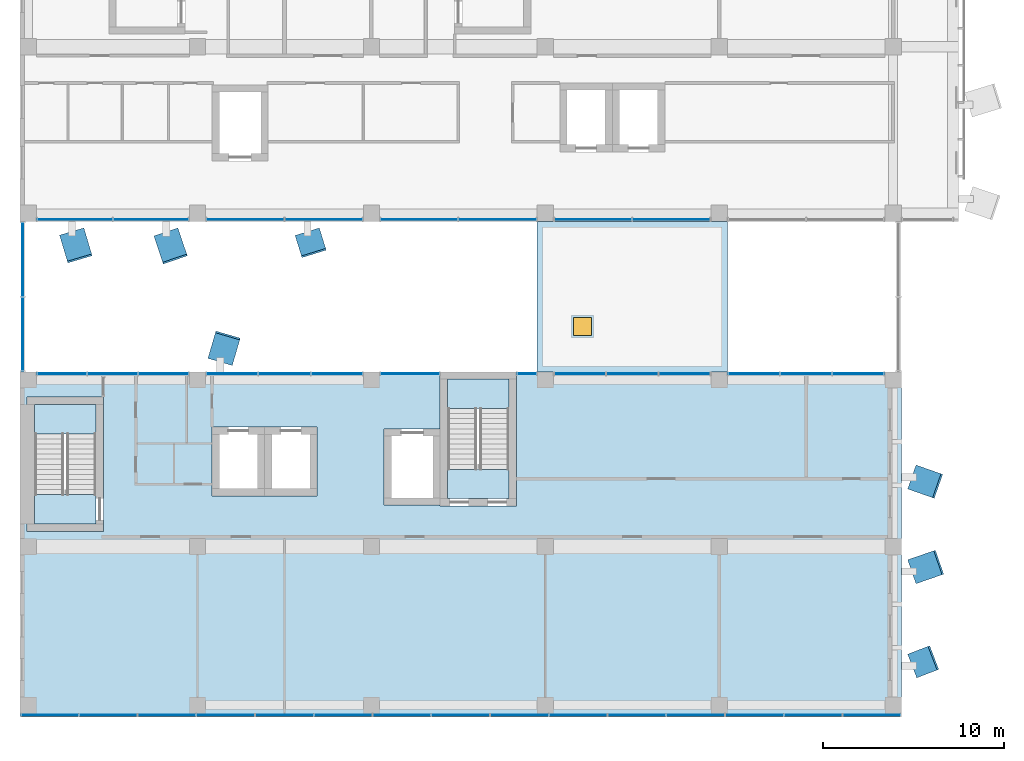
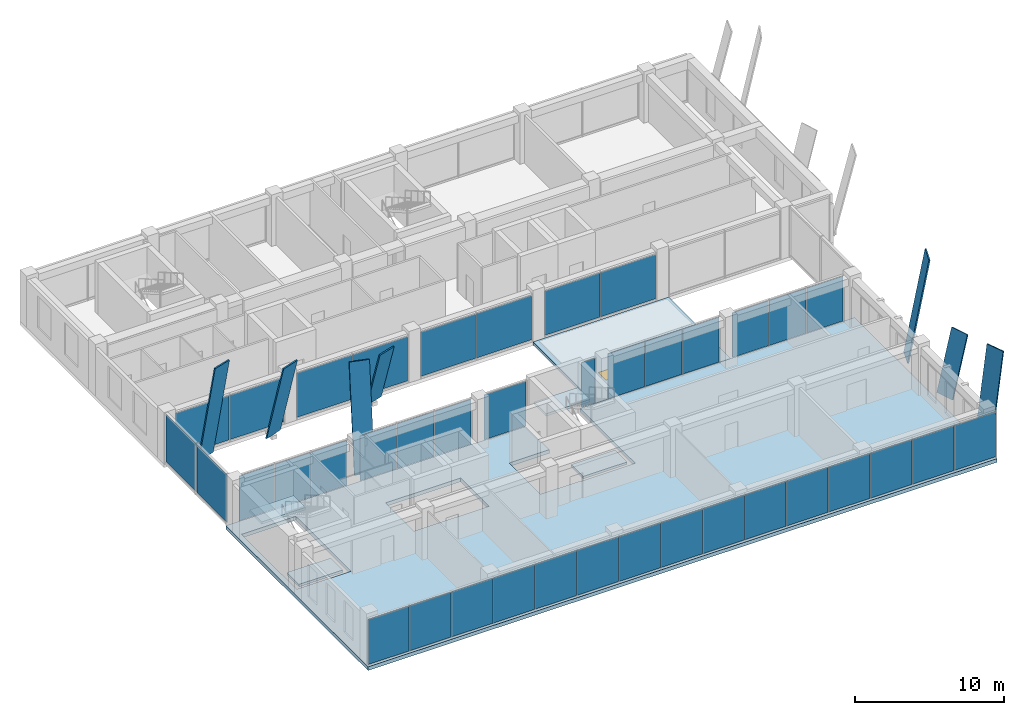
"""IFC4 building model written with IfcOpenShell, lengths in metres."""

from ifc_helpers import new_model, si_unit, direction, frame, origin, origin_2d, place, context, subcontext, project, spatial, polyline, rectangle, outline, extrude, material, layer, layer_set, material_profile, profile_set, type_object, element, fill, aggregate, save


model = new_model("IFC4")

# Units and contexts
model_context = context("Model", 3, precision=1e-05, world=origin(), true_north=direction((0.0, 1.0)))
body_context = subcontext(model_context, "Body", "Model", "MODEL_VIEW")
ifc_project = project(units=[si_unit("LENGTHUNIT", "METRE"), si_unit("AREAUNIT", "SQUARE_METRE"), si_unit("VOLUMEUNIT", "CUBIC_METRE"), si_unit("PLANEANGLEUNIT", "RADIAN"), si_unit("MASSUNIT", "GRAM", prefix="KILO")], contexts=[model_context])

# Site, building, storey
site_placement = place(None, origin())
site = spatial("IfcSite", under=ifc_project, at=site_placement, CompositionType="ELEMENT")
building_placement = place(site_placement, origin())
building = spatial("IfcBuilding", under=site, at=building_placement, Name="Nzadi Deep Aquarium and Research Tower", CompositionType="ELEMENT")
storey_1_placement = place(building_placement, frame((0.0, 0.0, 52.89990234375)))
storey_1 = spatial("IfcBuildingStorey", under=building, at=storey_1_placement, Name="L10", CompositionType="ELEMENT", Elevation=52.89990234375)

# Plates
ifc_material_1 = material(Name="Anodised aluminium, bright", Category="aluminium")
ifc_material_profile_1 = material_profile(ifc_material_1, rectangle(XDim=1.39990234375, YDim=0.10009765625, at=origin_2d()))
ifc_profile_set_1 = profile_set([ifc_material_profile_1], Name="Anodised aluminium, bright")
plate_type_1 = type_object("IfcPlateType", Name="Fold blade anodised aluminium 1400x100, 4.8 m", PredefinedType="SHEET", material=ifc_profile_set_1)
plate_1_placement = place(storey_1_placement, frame((49.0791015625, 7.830078125, 0.01611328125), z_axis=(0.299847467186, 0.103814873711, 0.948321658731), x_axis=(-0.327171125477, 0.944965107638, 0.0)))
element("IfcPlate", 1, at=plate_1_placement, inside=storey_1, type_object=plate_type_1, Name="FD012 fold blade EA L10", PredefinedType="SHEET", context=body_context, shape_type="SweptSolid", body=[
    extrude(rectangle(XDim=1.39990234375, YDim=0.10009765625, at=origin_2d()), origin(), (0.0, 0.0, 1.0), 4.7998046875),
])
plate_2_placement = place(storey_1_placement, frame((15.669921875, 26.54296875, 0.012451171875), z_axis=(0.073037408273, -0.235947449149, 0.969017202238), x_axis=(0.955278965947, 0.295706099396, 0.0)))
element("IfcPlate", 2, at=plate_2_placement, inside=storey_1, type_object=plate_type_1, Name="FD046 fold blade SB L10", PredefinedType="SHEET", context=body_context, shape_type="SweptSolid", body=[
    extrude(rectangle(XDim=1.39990234375, YDim=0.10009765625, at=origin_2d()), origin(), (0.0, 0.0, 1.0), 4.800048828125),
])
ifc_material_2 = material(Name="Anodised aluminium, bright", Category="aluminium")
ifc_material_profile_2 = material_profile(ifc_material_2, rectangle(XDim=1.39990234375, YDim=0.10009765625, at=origin_2d()))
ifc_profile_set_2 = profile_set([ifc_material_profile_2], Name="Anodised aluminium, bright")
plate_type_2 = type_object("IfcPlateType", Name="Fold blade anodised aluminium 1400x100, 6.6 m", PredefinedType="SHEET", material=ifc_profile_set_2)
plate_3_placement = place(storey_1_placement, frame((49.100830078125, 2.6298828125, 0.00927734375), z_axis=(0.170121208688, 0.065325952281, 0.983255457301), x_axis=(-0.358475743933, 0.933539040968, 0.0)))
element("IfcPlate", 3, at=plate_3_placement, inside=storey_1, type_object=plate_type_2, Name="FD011 fold blade EA L10", PredefinedType="SHEET", context=body_context, shape_type="SweptSolid", body=[
    extrude(rectangle(XDim=1.39990234375, YDim=0.10009765625, at=origin_2d()), origin(), (0.0, 0.0, 1.0), 6.60009765625),
])
plate_4_placement = place(storey_1_placement, frame((7.8701171875, 26.526611328125, 0.01171875), z_axis=(0.073910217524, -0.219622102823, 0.972781276391), x_axis=(0.947769435294, 0.318956262711, 0.0)))
element("IfcPlate", 4, at=plate_4_placement, inside=storey_1, type_object=plate_type_2, Name="FD045 fold blade SB L10", PredefinedType="SHEET", context=body_context, shape_type="SweptSolid", body=[
    extrude(rectangle(XDim=1.39990234375, YDim=0.10009765625, at=origin_2d()), origin(), (0.0, 0.0, 1.0), 6.599853515625),
])
ifc_material_3 = material(Name="Anodised aluminium, bright", Category="aluminium")
ifc_material_profile_3 = material_profile(ifc_material_3, rectangle(XDim=1.39990234375, YDim=0.10009765625, at=origin_2d()))
ifc_profile_set_3 = profile_set([ifc_material_profile_3], Name="Anodised aluminium, bright")
plate_type_3 = type_object("IfcPlateType", Name="Fold blade anodised aluminium 1400x100, 8.4 m", PredefinedType="SHEET", material=ifc_profile_set_3)
for number, where, z_axis, x_axis, name in (
    (5, (49.081298828125, 13.030029296875, 0.0087890625), (0.163892262528, -0.057401528373, 0.984806778421), (0.330551706067, 0.943787883804, 0.0), "FD013 fold blade EA L10"),
    (6, (10.860107421875, 19.446533203125, 0.0087890625), (0.049204934095, 0.168308194533, 0.984505574445), (-0.959823457985, 0.280604578547, 0.0), "FD043 fold blade SA L10"),
    (7, (2.669921875, 26.550048828125, 0.009033203125), (0.051094909361, -0.171362676674, 0.983882179573), (0.958308063781, 0.285737038013, 0.0), "FD044 fold blade SB L10"),
):
    element("IfcPlate", number, at=place(storey_1_placement, frame(where, z_axis=z_axis, x_axis=x_axis)), inside=storey_1, type_object=plate_type_3, Name=name, PredefinedType="SHEET", context=body_context, shape_type="SweptSolid", body=[
        extrude(rectangle(XDim=1.39990234375, YDim=0.10009765625, at=origin_2d()), origin(), (0.0, 0.0, 1.0), 8.400146484375),
    ])

# Curtain wall, plates
ifc_material_4 = material(Name="Aluminium unitised frame", Category="aluminium")
ifc_layer_1 = layer(ifc_material_4, 0.199951171875)
ifc_layer_set_1 = layer_set([ifc_layer_1], Name="Aluminium unitised frame")
curtain_wall_type_1 = type_object("IfcCurtainWallType", Name="Curtain wall Unitised 200", PredefinedType="NOTDEFINED", material=ifc_layer_set_1)
curtain_wall_1_placement = place(storey_1_placement, origin())
curtain_wall_1 = element("IfcCurtainWall", 8, at=curtain_wall_1_placement, inside=storey_1, type_object=curtain_wall_type_1, Name="Unitised curtain wall blade A south L10", PredefinedType="NOTDEFINED")
ifc_material_5 = material(Name="Glass, sage tint", Category="glass")
ifc_layer_2 = layer(ifc_material_5, 0.035888671875)
ifc_layer_set_2 = layer_set([ifc_layer_2], Name="Glass, sage tint")
plate_type_4 = type_object("IfcPlateType", Name="Glazing panel 36 Unitised", PredefinedType="CURTAIN_PANEL", material=ifc_layer_set_2)
plate_5_placement = place(storey_1_placement, frame((1.436767578125, -0.10009765625, 0.1201171875), z_axis=(0.0, 0.0, 1.0), x_axis=(1.0, 0.0, 0.0)))
plate_5 = element("IfcPlate", 9, at=plate_5_placement, type_object=plate_type_4, Name="CW036 panel 1.1", PredefinedType="CURTAIN_PANEL", context=body_context, shape_type="SweptSolid", body=[
    extrude(rectangle(XDim=3.1533203125, YDim=0.035888671875, at=origin_2d()), origin(), (0.0, 0.0, 1.0), 3.659912109375),
])
plate_6_placement = place(storey_1_placement, frame((4.6650390625, -0.10009765625, 0.1201171875), z_axis=(0.0, 0.0, 1.0), x_axis=(1.0, 0.0, 0.0)))
plate_6 = element("IfcPlate", 10, at=plate_6_placement, type_object=plate_type_4, Name="CW036 panel 2.1", PredefinedType="CURTAIN_PANEL", context=body_context, shape_type="SweptSolid", body=[
    extrude(rectangle(XDim=3.183349609375, YDim=0.035888671875, at=origin_2d()), origin(), (0.0, 0.0, 1.0), 3.659912109375),
])
plate_7_placement = place(storey_1_placement, frame((7.908447265625, -0.10009765625, 0.1201171875), z_axis=(0.0, 0.0, 1.0), x_axis=(1.0, 0.0, 0.0)))
plate_7 = element("IfcPlate", 11, at=plate_7_placement, type_object=plate_type_4, Name="CW036 panel 3.1", PredefinedType="CURTAIN_PANEL", context=body_context, shape_type="SweptSolid", body=[
    extrude(rectangle(XDim=3.183349609375, YDim=0.035888671875, at=origin_2d()), origin(), (0.0, 0.0, 1.0), 3.659912109375),
])
plate_8_placement = place(storey_1_placement, frame((11.151611328125, -0.10009765625, 0.1201171875), z_axis=(0.0, 0.0, 1.0), x_axis=(1.0, 0.0, 0.0)))
plate_8 = element("IfcPlate", 12, at=plate_8_placement, type_object=plate_type_4, Name="CW036 panel 4.1", PredefinedType="CURTAIN_PANEL", context=body_context, shape_type="SweptSolid", body=[
    extrude(rectangle(XDim=3.183349609375, YDim=0.035888671875, at=origin_2d()), origin(), (0.0, 0.0, 1.0), 3.659912109375),
])
plate_9_placement = place(storey_1_placement, frame((14.39501953125, -0.10009765625, 0.1201171875), z_axis=(0.0, 0.0, 1.0), x_axis=(1.0, 0.0, 0.0)))
plate_9 = element("IfcPlate", 13, at=plate_9_placement, type_object=plate_type_4, Name="CW036 panel 5.1", PredefinedType="CURTAIN_PANEL", context=body_context, shape_type="SweptSolid", body=[
    extrude(rectangle(XDim=3.183349609375, YDim=0.035888671875, at=origin_2d()), origin(), (0.0, 0.0, 1.0), 3.659912109375),
])
plate_10_placement = place(storey_1_placement, frame((17.638427734375, -0.10009765625, 0.1201171875), z_axis=(0.0, 0.0, 1.0), x_axis=(1.0, 0.0, 0.0)))
plate_10 = element("IfcPlate", 14, at=plate_10_placement, type_object=plate_type_4, Name="CW036 panel 6.1", PredefinedType="CURTAIN_PANEL", context=body_context, shape_type="SweptSolid", body=[
    extrude(rectangle(XDim=3.183349609375, YDim=0.035888671875, at=origin_2d()), origin(), (0.0, 0.0, 1.0), 3.659912109375),
])
plate_11_placement = place(storey_1_placement, frame((20.881591796875, -0.10009765625, 0.1201171875), z_axis=(0.0, 0.0, 1.0), x_axis=(1.0, 0.0, 0.0)))
plate_11 = element("IfcPlate", 15, at=plate_11_placement, type_object=plate_type_4, Name="CW036 panel 7.1", PredefinedType="CURTAIN_PANEL", context=body_context, shape_type="SweptSolid", body=[
    extrude(rectangle(XDim=3.183349609375, YDim=0.035888671875, at=origin_2d()), origin(), (0.0, 0.0, 1.0), 3.659912109375),
])
plate_12_placement = place(storey_1_placement, frame((24.125, -0.10009765625, 0.1201171875), z_axis=(0.0, 0.0, 1.0), x_axis=(1.0, 0.0, 0.0)))
plate_12 = element("IfcPlate", 16, at=plate_12_placement, type_object=plate_type_4, Name="CW036 panel 8.1", PredefinedType="CURTAIN_PANEL", context=body_context, shape_type="SweptSolid", body=[
    extrude(rectangle(XDim=3.183349609375, YDim=0.035888671875, at=origin_2d()), origin(), (0.0, 0.0, 1.0), 3.659912109375),
])
plate_13_placement = place(storey_1_placement, frame((27.368408203125, -0.10009765625, 0.1201171875), z_axis=(0.0, 0.0, 1.0), x_axis=(1.0, 0.0, 0.0)))
plate_13 = element("IfcPlate", 17, at=plate_13_placement, type_object=plate_type_4, Name="CW036 panel 9.1", PredefinedType="CURTAIN_PANEL", context=body_context, shape_type="SweptSolid", body=[
    extrude(rectangle(XDim=3.183349609375, YDim=0.035888671875, at=origin_2d()), origin(), (0.0, 0.0, 1.0), 3.659912109375),
])
plate_14_placement = place(storey_1_placement, frame((30.611572265625, -0.10009765625, 0.1201171875), z_axis=(0.0, 0.0, 1.0), x_axis=(1.0, 0.0, 0.0)))
plate_14 = element("IfcPlate", 18, at=plate_14_placement, type_object=plate_type_4, Name="CW036 panel 10.1", PredefinedType="CURTAIN_PANEL", context=body_context, shape_type="SweptSolid", body=[
    extrude(rectangle(XDim=3.183349609375, YDim=0.035888671875, at=origin_2d()), origin(), (0.0, 0.0, 1.0), 3.659912109375),
])
plate_15_placement = place(storey_1_placement, frame((33.85498046875, -0.10009765625, 0.1201171875), z_axis=(0.0, 0.0, 1.0), x_axis=(1.0, 0.0, 0.0)))
plate_15 = element("IfcPlate", 19, at=plate_15_placement, type_object=plate_type_4, Name="CW036 panel 11.1", PredefinedType="CURTAIN_PANEL", context=body_context, shape_type="SweptSolid", body=[
    extrude(rectangle(XDim=3.183349609375, YDim=0.035888671875, at=origin_2d()), origin(), (0.0, 0.0, 1.0), 3.659912109375),
])
plate_16_placement = place(storey_1_placement, frame((37.098388671875, -0.10009765625, 0.1201171875), z_axis=(0.0, 0.0, 1.0), x_axis=(1.0, 0.0, 0.0)))
plate_16 = element("IfcPlate", 20, at=plate_16_placement, type_object=plate_type_4, Name="CW036 panel 12.1", PredefinedType="CURTAIN_PANEL", context=body_context, shape_type="SweptSolid", body=[
    extrude(rectangle(XDim=3.183349609375, YDim=0.035888671875, at=origin_2d()), origin(), (0.0, 0.0, 1.0), 3.659912109375),
])
plate_17_placement = place(storey_1_placement, frame((40.341552734375, -0.10009765625, 0.1201171875), z_axis=(0.0, 0.0, 1.0), x_axis=(1.0, 0.0, 0.0)))
plate_17 = element("IfcPlate", 21, at=plate_17_placement, type_object=plate_type_4, Name="CW036 panel 13.1", PredefinedType="CURTAIN_PANEL", context=body_context, shape_type="SweptSolid", body=[
    extrude(rectangle(XDim=3.183349609375, YDim=0.035888671875, at=origin_2d()), origin(), (0.0, 0.0, 1.0), 3.659912109375),
])
plate_18_placement = place(storey_1_placement, frame((43.5849609375, -0.10009765625, 0.1201171875), z_axis=(0.0, 0.0, 1.0), x_axis=(1.0, 0.0, 0.0)))
plate_18 = element("IfcPlate", 22, at=plate_18_placement, type_object=plate_type_4, Name="CW036 panel 14.1", PredefinedType="CURTAIN_PANEL", context=body_context, shape_type="SweptSolid", body=[
    extrude(rectangle(XDim=3.183349609375, YDim=0.035888671875, at=origin_2d()), origin(), (0.0, 0.0, 1.0), 3.659912109375),
])
plate_19_placement = place(storey_1_placement, frame((46.813232421875, -0.10009765625, 0.1201171875), z_axis=(0.0, 0.0, 1.0), x_axis=(1.0, 0.0, 0.0)))
plate_19 = element("IfcPlate", 23, at=plate_19_placement, type_object=plate_type_4, Name="CW036 panel 15.1", PredefinedType="CURTAIN_PANEL", context=body_context, shape_type="SweptSolid", body=[
    extrude(rectangle(XDim=3.1533203125, YDim=0.035888671875, at=origin_2d()), origin(), (0.0, 0.0, 1.0), 3.659912109375),
])
aggregate(curtain_wall_1, [plate_5, plate_6, plate_7, plate_8, plate_9, plate_10, plate_11, plate_12, plate_13, plate_14, plate_15, plate_16, plate_17, plate_18, plate_19])

curtain_wall_2_placement = place(storey_1_placement, origin())
curtain_wall_2 = element("IfcCurtainWall", 24, at=curtain_wall_2_placement, inside=storey_1, type_object=curtain_wall_type_1, Name="Unitised curtain wall blade A north L10", PredefinedType="NOTDEFINED")
plate_20_placement = place(storey_1_placement, frame((2.123291015625, 18.75, 0.1201171875), z_axis=(0.0, 0.0, 1.0), x_axis=(1.0, 0.0, 0.0)))
plate_20 = element("IfcPlate", 25, at=plate_20_placement, type_object=plate_type_4, Name="CW037 panel 1.1", PredefinedType="CURTAIN_PANEL", context=body_context, shape_type="SweptSolid", body=[
    extrude(rectangle(XDim=2.7265625, YDim=0.035888671875, at=origin_2d()), origin(), (0.0, 0.0, 1.0), 3.659912109375),
])
plate_21_placement = place(storey_1_placement, frame((4.925048828125, 18.75, 0.1201171875), z_axis=(0.0, 0.0, 1.0), x_axis=(1.0, 0.0, 0.0)))
plate_21 = element("IfcPlate", 26, at=plate_21_placement, type_object=plate_type_4, Name="CW037 panel 2.1", PredefinedType="CURTAIN_PANEL", context=body_context, shape_type="SweptSolid", body=[
    extrude(rectangle(XDim=2.756591796875, YDim=0.035888671875, at=origin_2d()), origin(), (0.0, 0.0, 1.0), 3.659912109375),
])
plate_22_placement = place(storey_1_placement, frame((7.7265625, 18.75, 0.1201171875), z_axis=(0.0, 0.0, 1.0), x_axis=(1.0, 0.0, 0.0)))
plate_22 = element("IfcPlate", 27, at=plate_22_placement, type_object=plate_type_4, Name="CW037 panel 3.1", PredefinedType="CURTAIN_PANEL", context=body_context, shape_type="SweptSolid", body=[
    extrude(rectangle(XDim=2.7265625, YDim=0.035888671875, at=origin_2d()), origin(), (0.0, 0.0, 1.0), 3.659912109375),
])
aggregate(curtain_wall_2, [plate_20, plate_21, plate_22])

curtain_wall_3_placement = place(storey_1_placement, origin())
curtain_wall_3 = element("IfcCurtainWall", 28, at=curtain_wall_3_placement, inside=storey_1, type_object=curtain_wall_type_1, Name="Unitised curtain wall blade A north L10", PredefinedType="NOTDEFINED")
plate_23_placement = place(storey_1_placement, frame((11.514892578125, 18.75, 0.1201171875), z_axis=(0.0, 0.0, 1.0), x_axis=(1.0, 0.0, 0.0)))
plate_23 = element("IfcPlate", 29, at=plate_23_placement, type_object=plate_type_4, Name="CW038 panel 1.1", PredefinedType="CURTAIN_PANEL", context=body_context, shape_type="SweptSolid", body=[
    extrude(rectangle(XDim=2.81005859375, YDim=0.035888671875, at=origin_2d()), origin(), (0.0, 0.0, 1.0), 3.659912109375),
])
plate_24_placement = place(storey_1_placement, frame((14.39990234375, 18.75, 0.1201171875), z_axis=(0.0, 0.0, 1.0), x_axis=(1.0, 0.0, 0.0)))
plate_24 = element("IfcPlate", 30, at=plate_24_placement, type_object=plate_type_4, Name="CW038 panel 2.1", PredefinedType="CURTAIN_PANEL", context=body_context, shape_type="SweptSolid", body=[
    extrude(rectangle(XDim=2.840087890625, YDim=0.035888671875, at=origin_2d()), origin(), (0.0, 0.0, 1.0), 3.659912109375),
])
plate_25_placement = place(storey_1_placement, frame((17.284912109375, 18.75, 0.1201171875), z_axis=(0.0, 0.0, 1.0), x_axis=(1.0, 0.0, 0.0)))
plate_25 = element("IfcPlate", 31, at=plate_25_placement, type_object=plate_type_4, Name="CW038 panel 3.1", PredefinedType="CURTAIN_PANEL", context=body_context, shape_type="SweptSolid", body=[
    extrude(rectangle(XDim=2.81005859375, YDim=0.035888671875, at=origin_2d()), origin(), (0.0, 0.0, 1.0), 3.659912109375),
])
aggregate(curtain_wall_3, [plate_23, plate_24, plate_25])

# Curtain wall, plate
curtain_wall_4_placement = place(storey_1_placement, origin())
curtain_wall_4 = element("IfcCurtainWall", 32, at=curtain_wall_4_placement, inside=storey_1, type_object=curtain_wall_type_1, Name="Unitised curtain wall blade A north L10", PredefinedType="NOTDEFINED")
plate_26_placement = place(storey_1_placement, frame((21.324951171875, 18.75, 0.1201171875), z_axis=(0.0, 0.0, 1.0), x_axis=(1.0, 0.0, 0.0)))
plate_26 = element("IfcPlate", 33, at=plate_26_placement, type_object=plate_type_4, Name="CW039 panel 1.1", PredefinedType="CURTAIN_PANEL", context=body_context, shape_type="SweptSolid", body=[
    extrude(rectangle(XDim=3.22998046875, YDim=0.035888671875, at=origin_2d()), origin(), (0.0, 0.0, 1.0), 3.659912109375),
])
aggregate(curtain_wall_4, [plate_26])

curtain_wall_5_placement = place(storey_1_placement, origin())
curtain_wall_5 = element("IfcCurtainWall", 34, at=curtain_wall_5_placement, inside=storey_1, type_object=curtain_wall_type_1, Name="Unitised curtain wall blade A north L10", PredefinedType="NOTDEFINED")
plate_27_placement = place(storey_1_placement, frame((27.77490234375, 18.75, 0.1201171875), z_axis=(0.0, 0.0, 1.0), x_axis=(1.0, 0.0, 0.0)))
plate_27 = element("IfcPlate", 35, at=plate_27_placement, type_object=plate_type_4, Name="CW040 panel 1.1", PredefinedType="CURTAIN_PANEL", context=body_context, shape_type="SweptSolid", body=[
    extrude(rectangle(XDim=1.030029296875, YDim=0.035888671875, at=origin_2d()), origin(), (0.0, 0.0, 1.0), 3.659912109375),
])
aggregate(curtain_wall_5, [plate_27])

# Curtain wall, plates
curtain_wall_6_placement = place(storey_1_placement, origin())
curtain_wall_6 = element("IfcCurtainWall", 36, at=curtain_wall_6_placement, inside=storey_1, type_object=curtain_wall_type_1, Name="Unitised curtain wall blade A north L10", PredefinedType="NOTDEFINED")
plate_28_placement = place(storey_1_placement, frame((30.715087890625, 18.75, 0.1201171875), z_axis=(0.0, 0.0, 1.0), x_axis=(1.0, 0.0, 0.0)))
plate_28 = element("IfcPlate", 37, at=plate_28_placement, type_object=plate_type_4, Name="CW041 panel 1.1", PredefinedType="CURTAIN_PANEL", context=body_context, shape_type="SweptSolid", body=[
    extrude(rectangle(XDim=2.81005859375, YDim=0.035888671875, at=origin_2d()), origin(), (0.0, 0.0, 1.0), 3.659912109375),
])
plate_29_placement = place(storey_1_placement, frame((33.60009765625, 18.75, 0.1201171875), z_axis=(0.0, 0.0, 1.0), x_axis=(1.0, 0.0, 0.0)))
plate_29 = element("IfcPlate", 38, at=plate_29_placement, type_object=plate_type_4, Name="CW041 panel 2.1", PredefinedType="CURTAIN_PANEL", context=body_context, shape_type="SweptSolid", body=[
    extrude(rectangle(XDim=2.840087890625, YDim=0.035888671875, at=origin_2d()), origin(), (0.0, 0.0, 1.0), 3.659912109375),
])
plate_30_placement = place(storey_1_placement, frame((36.485107421875, 18.75, 0.1201171875), z_axis=(0.0, 0.0, 1.0), x_axis=(1.0, 0.0, 0.0)))
plate_30 = element("IfcPlate", 39, at=plate_30_placement, type_object=plate_type_4, Name="CW041 panel 3.1", PredefinedType="CURTAIN_PANEL", context=body_context, shape_type="SweptSolid", body=[
    extrude(rectangle(XDim=2.81005859375, YDim=0.035888671875, at=origin_2d()), origin(), (0.0, 0.0, 1.0), 3.659912109375),
])
aggregate(curtain_wall_6, [plate_28, plate_29, plate_30])

curtain_wall_7_placement = place(storey_1_placement, origin())
curtain_wall_7 = element("IfcCurtainWall", 40, at=curtain_wall_7_placement, inside=storey_1, type_object=curtain_wall_type_1, Name="Unitised curtain wall blade A north L10", PredefinedType="NOTDEFINED")
plate_31_placement = place(storey_1_placement, frame((40.31494140625, 18.75, 0.1201171875), z_axis=(0.0, 0.0, 1.0), x_axis=(1.0, 0.0, 0.0)))
plate_31 = element("IfcPlate", 41, at=plate_31_placement, type_object=plate_type_4, Name="CW042 panel 1.1", PredefinedType="CURTAIN_PANEL", context=body_context, shape_type="SweptSolid", body=[
    extrude(rectangle(XDim=2.81005859375, YDim=0.035888671875, at=origin_2d()), origin(), (0.0, 0.0, 1.0), 3.659912109375),
])
plate_32_placement = place(storey_1_placement, frame((43.199951171875, 18.75, 0.1201171875), z_axis=(0.0, 0.0, 1.0), x_axis=(1.0, 0.0, 0.0)))
plate_32 = element("IfcPlate", 42, at=plate_32_placement, type_object=plate_type_4, Name="CW042 panel 2.1", PredefinedType="CURTAIN_PANEL", context=body_context, shape_type="SweptSolid", body=[
    extrude(rectangle(XDim=2.840087890625, YDim=0.035888671875, at=origin_2d()), origin(), (0.0, 0.0, 1.0), 3.659912109375),
])
plate_33_placement = place(storey_1_placement, frame((46.0849609375, 18.75, 0.1201171875), z_axis=(0.0, 0.0, 1.0), x_axis=(1.0, 0.0, 0.0)))
plate_33 = element("IfcPlate", 43, at=plate_33_placement, type_object=plate_type_4, Name="CW042 panel 3.1", PredefinedType="CURTAIN_PANEL", context=body_context, shape_type="SweptSolid", body=[
    extrude(rectangle(XDim=2.81005859375, YDim=0.035888671875, at=origin_2d()), origin(), (0.0, 0.0, 1.0), 3.659912109375),
])
aggregate(curtain_wall_7, [plate_31, plate_32, plate_33])

ifc_material_6 = material(Name="Aluminium unitised frame deep", Category="aluminium")
ifc_layer_3 = layer(ifc_material_6, 0.22509765625)
ifc_layer_set_3 = layer_set([ifc_layer_3], Name="Aluminium unitised frame deep")
curtain_wall_type_2 = type_object("IfcCurtainWallType", Name="Curtain wall Unitised Deep 225", PredefinedType="NOTDEFINED", material=ifc_layer_set_3)
curtain_wall_8_placement = place(storey_1_placement, origin())
curtain_wall_8 = element("IfcCurtainWall", 44, at=curtain_wall_8_placement, inside=storey_1, type_object=curtain_wall_type_2, Name="Unitised curtain wall blade B south L10", PredefinedType="NOTDEFINED")
ifc_material_7 = material(Name="Glass, sage tint", Category="glass")
ifc_layer_4 = layer(ifc_material_7, 0.0400390625)
ifc_layer_set_4 = layer_set([ifc_layer_4], Name="Glass, sage tint")
plate_type_5 = type_object("IfcPlateType", Name="Glazing panel 40 Unitised Deep", PredefinedType="CURTAIN_PANEL", material=ifc_layer_set_4)
plate_34_placement = place(storey_1_placement, frame((2.827392578125, 27.262451171875, 0.14013671875), z_axis=(0.0, 0.0, 1.0), x_axis=(1.0, 0.0, 0.0)))
plate_34 = element("IfcPlate", 45, at=plate_34_placement, type_object=plate_type_5, Name="CW128 panel 1.1", PredefinedType="CURTAIN_PANEL", context=body_context, shape_type="SweptSolid", body=[
    extrude(rectangle(XDim=4.135009765625, YDim=0.0400390625, at=origin_2d()), origin(), (0.0, 0.0, 1.0), 3.6201171875),
])
plate_35_placement = place(storey_1_placement, frame((7.0224609375, 27.262451171875, 0.14013671875), z_axis=(0.0, 0.0, 1.0), x_axis=(1.0, 0.0, 0.0)))
plate_35 = element("IfcPlate", 46, at=plate_35_placement, type_object=plate_type_5, Name="CW128 panel 2.1", PredefinedType="CURTAIN_PANEL", context=body_context, shape_type="SweptSolid", body=[
    extrude(rectangle(XDim=4.135009765625, YDim=0.0400390625, at=origin_2d()), origin(), (0.0, 0.0, 1.0), 3.6201171875),
])
aggregate(curtain_wall_8, [plate_34, plate_35])

curtain_wall_9_placement = place(storey_1_placement, origin())
curtain_wall_9 = element("IfcCurtainWall", 47, at=curtain_wall_9_placement, inside=storey_1, type_object=curtain_wall_type_2, Name="Unitised curtain wall blade B south L10", PredefinedType="NOTDEFINED")
plate_36_placement = place(storey_1_placement, frame((12.239990234375, 27.262451171875, 0.14013671875), z_axis=(0.0, 0.0, 1.0), x_axis=(1.0, 0.0, 0.0)))
plate_36 = element("IfcPlate", 48, at=plate_36_placement, type_object=plate_type_5, Name="CW129 panel 1.1", PredefinedType="CURTAIN_PANEL", context=body_context, shape_type="SweptSolid", body=[
    extrude(rectangle(XDim=4.260009765625, YDim=0.0400390625, at=origin_2d()), origin(), (0.0, 0.0, 1.0), 3.6201171875),
])
plate_37_placement = place(storey_1_placement, frame((16.56005859375, 27.262451171875, 0.14013671875), z_axis=(0.0, 0.0, 1.0), x_axis=(1.0, 0.0, 0.0)))
plate_37 = element("IfcPlate", 49, at=plate_37_placement, type_object=plate_type_5, Name="CW129 panel 2.1", PredefinedType="CURTAIN_PANEL", context=body_context, shape_type="SweptSolid", body=[
    extrude(rectangle(XDim=4.260009765625, YDim=0.0400390625, at=origin_2d()), origin(), (0.0, 0.0, 1.0), 3.6201171875),
])
aggregate(curtain_wall_9, [plate_36, plate_37])

curtain_wall_10_placement = place(storey_1_placement, origin())
curtain_wall_10 = element("IfcCurtainWall", 50, at=curtain_wall_10_placement, inside=storey_1, type_object=curtain_wall_type_2, Name="Unitised curtain wall blade B south L10", PredefinedType="NOTDEFINED")
plate_38_placement = place(storey_1_placement, frame((21.840087890625, 27.262451171875, 0.14013671875), z_axis=(0.0, 0.0, 1.0), x_axis=(1.0, 0.0, 0.0)))
plate_38 = element("IfcPlate", 51, at=plate_38_placement, type_object=plate_type_5, Name="CW130 panel 1.1", PredefinedType="CURTAIN_PANEL", context=body_context, shape_type="SweptSolid", body=[
    extrude(rectangle(XDim=4.260009765625, YDim=0.0400390625, at=origin_2d()), origin(), (0.0, 0.0, 1.0), 3.6201171875),
])
plate_39_placement = place(storey_1_placement, frame((26.159912109375, 27.262451171875, 0.14013671875), z_axis=(0.0, 0.0, 1.0), x_axis=(1.0, 0.0, 0.0)))
plate_39 = element("IfcPlate", 52, at=plate_39_placement, type_object=plate_type_5, Name="CW130 panel 2.1", PredefinedType="CURTAIN_PANEL", context=body_context, shape_type="SweptSolid", body=[
    extrude(rectangle(XDim=4.260009765625, YDim=0.0400390625, at=origin_2d()), origin(), (0.0, 0.0, 1.0), 3.6201171875),
])
aggregate(curtain_wall_10, [plate_38, plate_39])

curtain_wall_11_placement = place(storey_1_placement, origin())
curtain_wall_11 = element("IfcCurtainWall", 53, at=curtain_wall_11_placement, inside=storey_1, type_object=curtain_wall_type_2, Name="Unitised curtain wall blade B south L10", PredefinedType="NOTDEFINED")
plate_40_placement = place(storey_1_placement, frame((31.43994140625, 27.262451171875, 0.14013671875), z_axis=(0.0, 0.0, 1.0), x_axis=(1.0, 0.0, 0.0)))
plate_40 = element("IfcPlate", 54, at=plate_40_placement, type_object=plate_type_5, Name="CW131 panel 1.1", PredefinedType="CURTAIN_PANEL", context=body_context, shape_type="SweptSolid", body=[
    extrude(rectangle(XDim=4.260009765625, YDim=0.0400390625, at=origin_2d()), origin(), (0.0, 0.0, 1.0), 3.6201171875),
])
plate_41_placement = place(storey_1_placement, frame((35.760009765625, 27.262451171875, 0.14013671875), z_axis=(0.0, 0.0, 1.0), x_axis=(1.0, 0.0, 0.0)))
plate_41 = element("IfcPlate", 55, at=plate_41_placement, type_object=plate_type_5, Name="CW131 panel 2.1", PredefinedType="CURTAIN_PANEL", context=body_context, shape_type="SweptSolid", body=[
    extrude(rectangle(XDim=4.260009765625, YDim=0.0400390625, at=origin_2d()), origin(), (0.0, 0.0, 1.0), 3.6201171875),
])
aggregate(curtain_wall_11, [plate_40, plate_41])

ifc_material_8 = material(Name="Aluminium unitised frame wind post", Category="aluminium")
ifc_layer_5 = layer(ifc_material_8, 0.300048828125)
ifc_layer_set_5 = layer_set([ifc_layer_5], Name="Aluminium unitised frame wind post")
curtain_wall_type_3 = type_object("IfcCurtainWallType", Name="Curtain wall Slot End 300", PredefinedType="NOTDEFINED", material=ifc_layer_set_5)
curtain_wall_12_placement = place(storey_1_placement, origin())
curtain_wall_12 = element("IfcCurtainWall", 56, at=curtain_wall_12_placement, inside=storey_1, type_object=curtain_wall_type_3, Name="Glazed slot end west L10", PredefinedType="NOTDEFINED")
ifc_material_9 = material(Name="Glass, sage tint", Category="glass")
ifc_layer_6 = layer(ifc_material_9, 0.0439453125)
ifc_layer_set_6 = layer_set([ifc_layer_6], Name="Glass, sage tint")
plate_type_6 = type_object("IfcPlateType", Name="Glazing panel 44 Slot End", PredefinedType="CURTAIN_PANEL", material=ifc_layer_set_6)
plate_42_placement = place(storey_1_placement, frame((-0.050048828125, 20.93994140625, 0.16015625), z_axis=(0.0, 0.0, 1.0), x_axis=(0.0, 1.0, 0.0)))
plate_42 = element("IfcPlate", 57, at=plate_42_placement, type_object=plate_type_6, Name="CW211 panel 1.1", PredefinedType="CURTAIN_PANEL", context=body_context, shape_type="SweptSolid", body=[
    extrude(rectangle(XDim=4.06005859375, YDim=0.0439453125, at=origin_2d()), origin(), (0.0, 0.0, 1.0), 3.8798828125),
])
plate_43_placement = place(storey_1_placement, frame((-0.050048828125, 25.06005859375, 0.16015625), z_axis=(0.0, 0.0, 1.0), x_axis=(0.0, 1.0, 0.0)))
plate_43 = element("IfcPlate", 58, at=plate_43_placement, type_object=plate_type_6, Name="CW211 panel 2.1", PredefinedType="CURTAIN_PANEL", context=body_context, shape_type="SweptSolid", body=[
    extrude(rectangle(XDim=4.06005859375, YDim=0.0439453125, at=origin_2d()), origin(), (0.0, 0.0, 1.0), 3.8798828125),
])
aggregate(curtain_wall_12, [plate_42, plate_43])

# Stair, slabs
ifc_material_10 = material(Name="Concrete C35/45", Category="concrete")
stair_type = type_object("IfcStairType", Name="STAIR RETURN 3000", PredefinedType="NOTDEFINED", material=ifc_material_10)
stair_1_placement = place(storey_1_placement, origin())
stair_1 = element("IfcStair", 59, at=stair_1_placement, inside=storey_1, type_object=stair_type, Name="Stair ST-Z1-SW L10", PredefinedType="HALF_TURN_STAIR")
ifc_material_11 = material(Name="Concrete C35/45", Category="concrete")
ifc_layer_7 = layer(ifc_material_11, 0.199951171875)
ifc_layer_set_7 = layer_set([ifc_layer_7], Name="Concrete C35/45")
slab_type_1 = type_object("IfcSlabType", Name="LANDING 200", PredefinedType="LANDING", material=ifc_layer_set_7)
slab_1_placement = place(storey_1_placement, frame((0.0, 0.0, -0.199951171875)))
slab_1 = element("IfcSlab", 60, at=slab_1_placement, type_object=slab_type_1, Name="ST-Z1-SW landing 1", PredefinedType="LANDING", context=body_context, shape_type="SweptSolid", body=[
    extrude(outline(polyline([(0.60009765625, 10.449951171875), (4.0, 10.449951171875), (4.0, 12.070068359375), (0.60009765625, 12.070068359375), (0.60009765625, 10.449951171875)])), origin(), (0.0, 0.0, 1.0), 0.199951171875),
])
slab_2_placement = place(storey_1_placement, frame((0.0, 0.0, 1.900146484375)))
slab_2 = element("IfcSlab", 61, at=slab_2_placement, type_object=slab_type_1, Name="ST-Z1-SW landing 2", PredefinedType="LANDING", context=body_context, shape_type="SweptSolid", body=[
    extrude(outline(polyline([(0.60009765625, 15.429931640625), (4.0, 15.429931640625), (4.0, 17.050048828125), (0.60009765625, 17.050048828125), (0.60009765625, 15.429931640625)])), origin(), (0.0, 0.0, 1.0), 0.199951171875),
])
aggregate(stair_1, [slab_1, slab_2])

stair_2_placement = place(storey_1_placement, origin())
stair_2 = element("IfcStair", 62, at=stair_2_placement, inside=storey_1, type_object=stair_type, Name="Stair ST-Z1-SE L10", PredefinedType="HALF_TURN_STAIR")
slab_3_placement = place(storey_1_placement, frame((0.0, 0.0, -0.199951171875)))
slab_3 = element("IfcSlab", 63, at=slab_3_placement, type_object=slab_type_1, Name="ST-Z1-SE landing 1", PredefinedType="LANDING", context=body_context, shape_type="SweptSolid", body=[
    extrude(outline(polyline([(23.39990234375, 11.85009765625), (26.800048828125, 11.85009765625), (26.800048828125, 13.469970703125), (23.39990234375, 13.469970703125), (23.39990234375, 11.85009765625)])), origin(), (0.0, 0.0, 1.0), 0.199951171875),
])
slab_4_placement = place(storey_1_placement, frame((0.0, 0.0, 1.900146484375)))
slab_4 = element("IfcSlab", 64, at=slab_4_placement, type_object=slab_type_1, Name="ST-Z1-SE landing 2", PredefinedType="LANDING", context=body_context, shape_type="SweptSolid", body=[
    extrude(outline(polyline([(23.39990234375, 16.830078125), (26.800048828125, 16.830078125), (26.800048828125, 18.449951171875), (23.39990234375, 18.449951171875), (23.39990234375, 16.830078125)])), origin(), (0.0, 0.0, 1.0), 0.199951171875),
])
aggregate(stair_2, [slab_3, slab_4])

# Slab
ifc_material_12 = material(Name="Concrete C35/45", Category="concrete")
ifc_layer_8 = layer(ifc_material_12, 0.300048828125)
ifc_layer_set_8 = layer_set([ifc_layer_8], Name="Concrete C35/45")
slab_type_2 = type_object("IfcSlabType", Name="RC floor slab 300", PredefinedType="FLOOR", material=ifc_layer_set_8)
slab_5_placement = place(storey_1_placement, frame((0.0, 0.0, -0.2998046875)))
element("IfcSlab", 65, at=slab_5_placement, inside=storey_1, type_object=slab_type_2, Name="Tower floor A L10", PredefinedType="FLOOR", context=body_context, shape_type="SweptSolid", body=[
    extrude(outline(polyline([(27.199951171875, 11.449951171875), (23.0, 11.449951171875), (23.0, 11.5), (19.89990234375, 11.5), (19.89990234375, 15.699951171875), (23.0, 15.699951171875), (23.0, 18.85009765625), (-0.199462890625, 18.85009765625), (-0.199462890625, -0.199951171875), (48.449951171875, -0.199951171875), (48.449951171875, 18.85009765625), (27.199951171875, 18.85009765625), (27.199951171875, 11.449951171875)]), holes=[polyline([(4.39990234375, 17.449951171875), (4.39990234375, 10.050048828125), (0.199951171875, 10.050048828125), (0.199951171875, 17.449951171875), (4.39990234375, 17.449951171875)]), polyline([(10.39990234375, 12.0), (10.39990234375, 15.800048828125), (13.300048828125, 15.800048828125), (16.199951171875, 15.800048828125), (16.199951171875, 12.0), (13.300048828125, 12.0), (10.39990234375, 12.0)])]), origin(), (0.0, 0.0, 1.0), 0.2998046875),
])

# Slab, opening
ifc_material_13 = material(Name="Concrete C35/45", Category="concrete")
ifc_layer_9 = layer(ifc_material_13, 0.25)
ifc_layer_set_9 = layer_set([ifc_layer_9], Name="Concrete C35/45")
slab_type_3 = type_object("IfcSlabType", Name="RC roof slab 250", PredefinedType="ROOF", material=ifc_layer_set_9)
slab_6_placement = place(storey_1_placement, frame((0.0, 0.0, -0.25)))
slab_6 = element("IfcSlab", 66, at=slab_6_placement, inside=storey_1, type_object=slab_type_3, Name="Bridge roof L09", PredefinedType="ROOF", context=body_context, shape_type="SweptSolid", body=[
    extrude(outline(polyline([(38.85009765625, 18.85009765625), (38.85009765625, 27.14990234375), (28.35009765625, 27.14990234375), (28.35009765625, 18.85009765625), (38.85009765625, 18.85009765625)])), origin(), (0.0, 0.0, 1.0), 0.25),
])
opening_placement = place(slab_6_placement, frame((30.85009765625, 21.35009765625, 0.0)))
opening = element("IfcOpeningElement", 67, at=opening_placement, cuts=slab_6, Name="Opening DE033", PredefinedType="OPENING", context=body_context, shape_type="SweptSolid", body=[
    extrude(rectangle(XDim=1.0, YDim=1.0, at=origin_2d()), origin(), (0.0, 0.0, 1.0), 0.25),
])

# Storey
storey_2_placement = place(building_placement, frame((0.0, 0.0, 48.699951171875)))
storey_2 = spatial("IfcBuildingStorey", under=building, at=storey_2_placement, Name="L09", CompositionType="ELEMENT", Elevation=48.699951171875)

# Door
ifc_material_14 = material(Name="Steel, galvanised", Category="steel")
door_type = type_object("IfcDoorType", Name="Roof access hatch 1000x1000", OperationType="SWING_FIXED_LEFT", PredefinedType="TRAPDOOR", material=ifc_material_14)
door_placement = place(opening_placement, frame((0.0, 0.0, 0.199951171875)))
door = element("IfcDoor", 68, at=door_placement, inside=storey_2, type_object=door_type, Name="Roof hatch L09 bridge", OperationType="SWING_FIXED_LEFT", OverallHeight=1.0, OverallWidth=1.0, PredefinedType="TRAPDOOR", context=body_context, shape_type="SweptSolid", body=[
    extrude(rectangle(XDim=1.0, YDim=1.0, at=origin_2d()), origin(), (0.0, 0.0, 1.0), 0.050048828125),
])

fill(opening, door)

save(model, "model.ifc")
